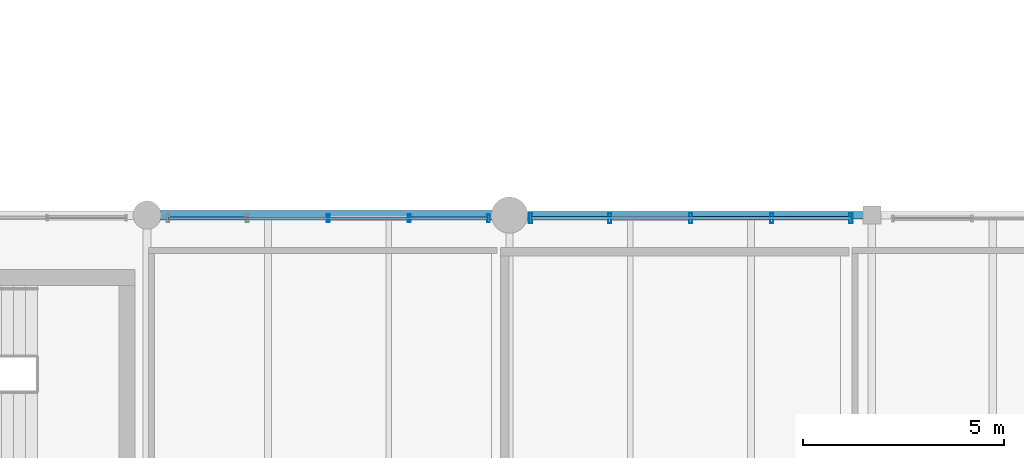
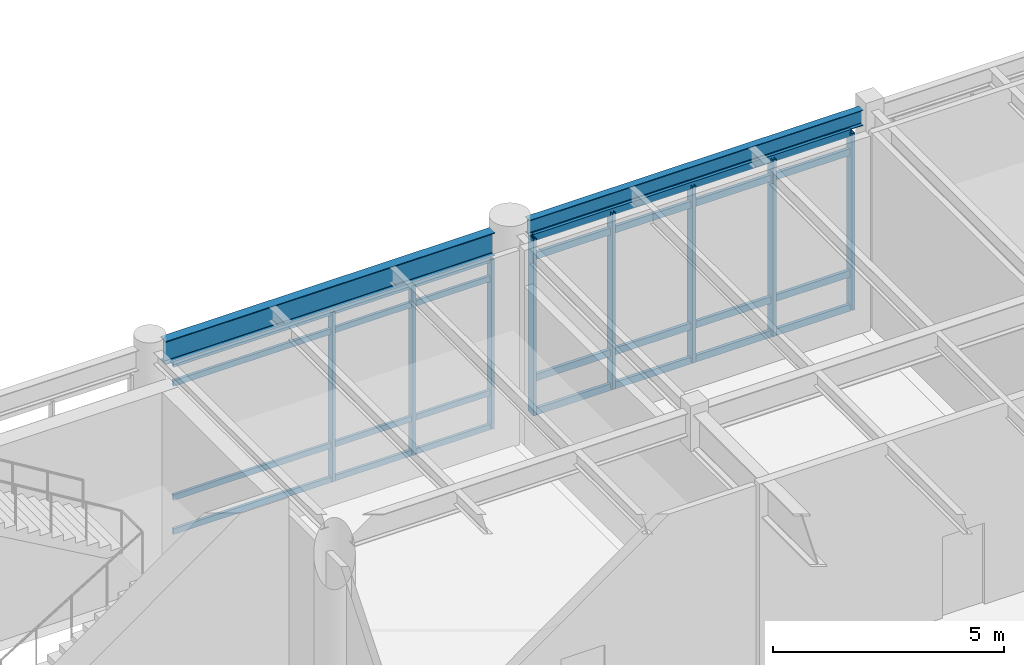
# One storey, part 142 of 203: 16 members, 2 beams, 2 elements without a shape of their own.
"""IFC4 building model written with IfcOpenShell, lengths in metres."""

from ifc_helpers import new_model, si_unit, direction, frame, origin, origin_2d, place, context, subcontext, project, spatial, hollow_rectangle, i_section, extrude, material, material_profile, profile_set, type_object, element, aggregate, save


model = new_model("IFC4")

# Units and contexts
model_context = context("Model", 3, precision=1e-05, world=origin(), true_north=direction((0.0, 1.0)))
body_context = subcontext(model_context, "Body", "Model", "MODEL_VIEW")
ifc_project = project(units=[si_unit("LENGTHUNIT", "METRE"), si_unit("AREAUNIT", "SQUARE_METRE"), si_unit("VOLUMEUNIT", "CUBIC_METRE"), si_unit("PLANEANGLEUNIT", "RADIAN"), si_unit("MASSUNIT", "GRAM", prefix="KILO"), si_unit("THERMODYNAMICTEMPERATUREUNIT", "KELVIN"), si_unit("POWERUNIT", "WATT")], contexts=[model_context])

# Site, building, storey
site_placement = place(None, origin())
site = spatial("IfcSite", under=ifc_project, at=site_placement, CompositionType="ELEMENT")
building_placement = place(site_placement, origin())
building = spatial("IfcBuilding", under=site, at=building_placement, Name="Tepalcoro Natatorium and Aquatics Centre", CompositionType="ELEMENT")
storey_placement = place(building_placement, origin())
storey = spatial("IfcBuildingStorey", under=building, at=storey_placement, Name="L00", CompositionType="ELEMENT", Elevation=0.0)

# Curtain wall, members
ifc_material_1 = material(Name="Bronze-Anodised Extruded Aluminium Alloy EN AW-6063 T6", Category="aluminium")
curtain_wall_type_1 = type_object("IfcCurtainWallType", Name="CW_V3_FOYER", PredefinedType="USERDEFINED", material=ifc_material_1)
curtain_wall_1_placement = place(storey_placement, origin())
curtain_wall_1 = element("IfcCurtainWall", 1, at=curtain_wall_1_placement, inside=storey, type_object=curtain_wall_type_1, Name="V4 L00 N Unitised Curtain Wall Bay 7", ObjectType="UNITISED STOREFRONT", PredefinedType="USERDEFINED")
ifc_material_profile_1 = material_profile(ifc_material_1, hollow_rectangle(XDim=0.070068359375, YDim=0.199951171875, WallThickness=0.0048828125, at=origin_2d()), Name="AL70X200X5")
ifc_profile_set_1 = profile_set([ifc_material_profile_1], Name="Bronze-Anodised Extruded Aluminium Alloy EN AW-6063 T6")
member_type_1 = type_object("IfcMemberType", Name="CW_MUL_70x200", PredefinedType="MULLION", material=ifc_profile_set_1)
member_1_placement = place(storey_placement, frame((66.5, 117.919921875, 0.02001953125), z_axis=(0.0, 0.0, 1.0), x_axis=(1.0, 0.0, 0.0)))
member_1 = element("IfcMember", 2, at=member_1_placement, type_object=member_type_1, Name="CW_V3_FOYER Curtain Wall Mullion", PredefinedType="MULLION", context=body_context, shape_type="SweptSolid", body=[
    extrude(hollow_rectangle(XDim=0.070068359375, YDim=0.199951171875, WallThickness=0.0048828125, at=origin_2d()), origin(), (0.0, 0.0, 1.0), 4.47802734375),
])
member_2_placement = place(storey_placement, frame((68.510009765625, 117.919921875, 0.02001953125), z_axis=(0.0, 0.0, 1.0), x_axis=(1.0, 0.0, 0.0)))
member_2 = element("IfcMember", 3, at=member_2_placement, type_object=member_type_1, Name="CW_V3_FOYER Curtain Wall Mullion", PredefinedType="MULLION", context=body_context, shape_type="SweptSolid", body=[
    extrude(hollow_rectangle(XDim=0.070068359375, YDim=0.199951171875, WallThickness=0.0048828125, at=origin_2d()), origin(), (0.0, 0.0, 1.0), 4.47802734375),
])
member_3_placement = place(storey_placement, frame((70.47998046875, 117.919921875, 0.02001953125), z_axis=(0.0, 0.0, 1.0), x_axis=(1.0, 0.0, 0.0)))
member_3 = element("IfcMember", 4, at=member_3_placement, type_object=member_type_1, Name="CW_V3_FOYER Curtain Wall Mullion", PredefinedType="MULLION", context=body_context, shape_type="SweptSolid", body=[
    extrude(hollow_rectangle(XDim=0.070068359375, YDim=0.199951171875, WallThickness=0.0048828125, at=origin_2d()), origin(), (0.0, 0.0, 1.0), 4.47802734375),
])

curtain_wall_type_2 = type_object("IfcCurtainWallType", Name="CW_V4_VILLAGE", PredefinedType="USERDEFINED", material=ifc_material_1)
curtain_wall_2_placement = place(storey_placement, origin())
curtain_wall_2 = element("IfcCurtainWall", 5, at=curtain_wall_2_placement, inside=storey, type_object=curtain_wall_type_2, Name="V4 L00 N Unitised Curtain Wall Bay 8", ObjectType="UNITISED STOREFRONT", PredefinedType="USERDEFINED")
ifc_material_profile_2 = material_profile(ifc_material_1, hollow_rectangle(XDim=0.080078125, YDim=0.239990234375, WallThickness=0.0048828125, at=origin_2d()), Name="AL80X240X5")
ifc_profile_set_2 = profile_set([ifc_material_profile_2], Name="Bronze-Anodised Extruded Aluminium Alloy EN AW-6063 T6")
member_type_2 = type_object("IfcMemberType", Name="CW_MUL_80x240", PredefinedType="MULLION", material=ifc_profile_set_2)
member_4_placement = place(storey_placement, frame((71.52001953125, 117.923828125, 0.02001953125), z_axis=(0.0, 0.0, 1.0), x_axis=(1.0, 0.0, 0.0)))
member_4 = element("IfcMember", 6, at=member_4_placement, type_object=member_type_2, Name="CW_V4_VILLAGE Curtain Wall Mullion", PredefinedType="MULLION", context=body_context, shape_type="SweptSolid", body=[
    extrude(hollow_rectangle(XDim=0.080078125, YDim=0.239990234375, WallThickness=0.0048828125, at=origin_2d()), origin(), (0.0, 0.0, 1.0), 4.677001953125),
])
member_5_placement = place(storey_placement, frame((73.489990234375, 117.923828125, 0.02001953125), z_axis=(0.0, 0.0, 1.0), x_axis=(1.0, 0.0, 0.0)))
member_5 = element("IfcMember", 7, at=member_5_placement, type_object=member_type_2, Name="CW_V4_VILLAGE Curtain Wall Mullion", PredefinedType="MULLION", context=body_context, shape_type="SweptSolid", body=[
    extrude(hollow_rectangle(XDim=0.080078125, YDim=0.239990234375, WallThickness=0.0048828125, at=origin_2d()), origin(), (0.0, 0.0, 1.0), 4.677001953125),
])
member_6_placement = place(storey_placement, frame((75.5, 117.923828125, 0.02001953125), z_axis=(0.0, 0.0, 1.0), x_axis=(1.0, 0.0, 0.0)))
member_6 = element("IfcMember", 8, at=member_6_placement, type_object=member_type_2, Name="CW_V4_VILLAGE Curtain Wall Mullion", PredefinedType="MULLION", context=body_context, shape_type="SweptSolid", body=[
    extrude(hollow_rectangle(XDim=0.080078125, YDim=0.239990234375, WallThickness=0.0048828125, at=origin_2d()), origin(), (0.0, 0.0, 1.0), 4.677001953125),
])
member_7_placement = place(storey_placement, frame((77.510009765625, 117.923828125, 0.02001953125), z_axis=(0.0, 0.0, 1.0), x_axis=(1.0, 0.0, 0.0)))
member_7 = element("IfcMember", 9, at=member_7_placement, type_object=member_type_2, Name="CW_V4_VILLAGE Curtain Wall Mullion", PredefinedType="MULLION", context=body_context, shape_type="SweptSolid", body=[
    extrude(hollow_rectangle(XDim=0.080078125, YDim=0.239990234375, WallThickness=0.0048828125, at=origin_2d()), origin(), (0.0, 0.0, 1.0), 4.677001953125),
])
member_8_placement = place(storey_placement, frame((79.47998046875, 117.923828125, 0.02001953125), z_axis=(0.0, 0.0, 1.0), x_axis=(1.0, 0.0, 0.0)))
member_8 = element("IfcMember", 10, at=member_8_placement, type_object=member_type_2, Name="CW_V4_VILLAGE Curtain Wall Mullion", PredefinedType="MULLION", context=body_context, shape_type="SweptSolid", body=[
    extrude(hollow_rectangle(XDim=0.080078125, YDim=0.239990234375, WallThickness=0.0048828125, at=origin_2d()), origin(), (0.0, 0.0, 1.0), 4.677001953125),
])

# Member
ifc_material_profile_3 = material_profile(ifc_material_1, hollow_rectangle(XDim=0.070068359375, YDim=0.14990234375, WallThickness=0.00390625, at=origin_2d()), Name="AL70X150X4")
ifc_profile_set_3 = profile_set([ifc_material_profile_3], Name="Bronze-Anodised Extruded Aluminium Alloy EN AW-6063 T6")
member_type_3 = type_object("IfcMemberType", Name="CW_TRN_70x150", PredefinedType="USERDEFINED", material=ifc_profile_set_3)
member_9_placement = place(storey_placement, frame((62.530029296875, 117.919921875, 0.050048828125), z_axis=(1.0, 0.0, 0.0), x_axis=(0.0, 1.0, 0.0)))
member_9 = element("IfcMember", 11, at=member_9_placement, type_object=member_type_3, Name="CW_V3_FOYER Curtain Wall Transom", ObjectType="TRANSOM", PredefinedType="USERDEFINED", context=body_context, shape_type="SweptSolid", body=[
    extrude(hollow_rectangle(XDim=0.070068359375, YDim=0.14990234375, WallThickness=0.00390625, at=origin_2d()), origin(), (0.0, 0.0, 1.0), 7.93994140625),
])

member_10_placement = place(storey_placement, frame((62.530029296875, 117.919921875, 0.949951171875), z_axis=(1.0, 0.0, 0.0), x_axis=(0.0, 1.0, 0.0)))
member_10 = element("IfcMember", 12, at=member_10_placement, type_object=member_type_3, Name="CW_V3_FOYER Curtain Wall Transom", ObjectType="TRANSOM", PredefinedType="USERDEFINED", context=body_context, shape_type="SweptSolid", body=[
    extrude(hollow_rectangle(XDim=0.070068359375, YDim=0.14990234375, WallThickness=0.00390625, at=origin_2d()), origin(), (0.0, 0.0, 1.0), 7.93994140625),
])

member_11_placement = place(storey_placement, frame((62.530029296875, 117.919921875, 3.968017578125), z_axis=(1.0, 0.0, 0.0), x_axis=(0.0, 1.0, 0.0)))
member_11 = element("IfcMember", 13, at=member_11_placement, type_object=member_type_3, Name="CW_V3_FOYER Curtain Wall Transom", ObjectType="TRANSOM", PredefinedType="USERDEFINED", context=body_context, shape_type="SweptSolid", body=[
    extrude(hollow_rectangle(XDim=0.070068359375, YDim=0.14990234375, WallThickness=0.00390625, at=origin_2d()), origin(), (0.0, 0.0, 1.0), 7.93994140625),
])

member_12_placement = place(storey_placement, frame((62.530029296875, 117.919921875, 4.468017578125), z_axis=(1.0, 0.0, 0.0), x_axis=(0.0, 1.0, 0.0)))
member_12 = element("IfcMember", 14, at=member_12_placement, type_object=member_type_3, Name="CW_V3_FOYER Curtain Wall Transom", ObjectType="TRANSOM", PredefinedType="USERDEFINED", context=body_context, shape_type="SweptSolid", body=[
    extrude(hollow_rectangle(XDim=0.070068359375, YDim=0.14990234375, WallThickness=0.00390625, at=origin_2d()), origin(), (0.0, 0.0, 1.0), 7.93994140625),
])

aggregate(curtain_wall_1, [member_1, member_2, member_3, member_9, member_10, member_11, member_12])

ifc_material_profile_4 = material_profile(ifc_material_1, hollow_rectangle(XDim=0.080078125, YDim=0.179931640625, WallThickness=0.0048828125, at=origin_2d()), Name="AL80X180X5")
ifc_profile_set_4 = profile_set([ifc_material_profile_4], Name="Bronze-Anodised Extruded Aluminium Alloy EN AW-6063 T6")
member_type_4 = type_object("IfcMemberType", Name="CW_TRN_80x180", PredefinedType="USERDEFINED", material=ifc_profile_set_4)
member_13_placement = place(storey_placement, frame((71.530029296875, 117.923828125, 0.050048828125), z_axis=(1.0, 0.0, 0.0), x_axis=(0.0, 1.0, 0.0)))
member_13 = element("IfcMember", 15, at=member_13_placement, type_object=member_type_4, Name="CW_V4_VILLAGE Curtain Wall Transom", ObjectType="TRANSOM", PredefinedType="USERDEFINED", context=body_context, shape_type="SweptSolid", body=[
    extrude(hollow_rectangle(XDim=0.080078125, YDim=0.179931640625, WallThickness=0.0048828125, at=origin_2d()), origin(), (0.0, 0.0, 1.0), 7.93994140625),
])

member_14_placement = place(storey_placement, frame((71.530029296875, 117.923828125, 0.949951171875), z_axis=(1.0, 0.0, 0.0), x_axis=(0.0, 1.0, 0.0)))
member_14 = element("IfcMember", 16, at=member_14_placement, type_object=member_type_4, Name="CW_V4_VILLAGE Curtain Wall Transom", ObjectType="TRANSOM", PredefinedType="USERDEFINED", context=body_context, shape_type="SweptSolid", body=[
    extrude(hollow_rectangle(XDim=0.080078125, YDim=0.179931640625, WallThickness=0.0048828125, at=origin_2d()), origin(), (0.0, 0.0, 1.0), 7.93994140625),
])

member_15_placement = place(storey_placement, frame((71.530029296875, 117.923828125, 4.1669921875), z_axis=(1.0, 0.0, 0.0), x_axis=(0.0, 1.0, 0.0)))
member_15 = element("IfcMember", 17, at=member_15_placement, type_object=member_type_4, Name="CW_V4_VILLAGE Curtain Wall Transom", ObjectType="TRANSOM", PredefinedType="USERDEFINED", context=body_context, shape_type="SweptSolid", body=[
    extrude(hollow_rectangle(XDim=0.080078125, YDim=0.179931640625, WallThickness=0.0048828125, at=origin_2d()), origin(), (0.0, 0.0, 1.0), 7.93994140625),
])

member_16_placement = place(storey_placement, frame((71.530029296875, 117.923828125, 4.6669921875), z_axis=(1.0, 0.0, 0.0), x_axis=(0.0, 1.0, 0.0)))
member_16 = element("IfcMember", 18, at=member_16_placement, type_object=member_type_4, Name="CW_V4_VILLAGE Curtain Wall Transom", ObjectType="TRANSOM", PredefinedType="USERDEFINED", context=body_context, shape_type="SweptSolid", body=[
    extrude(hollow_rectangle(XDim=0.080078125, YDim=0.179931640625, WallThickness=0.0048828125, at=origin_2d()), origin(), (0.0, 0.0, 1.0), 7.93994140625),
])

aggregate(curtain_wall_2, [member_4, member_5, member_6, member_7, member_8, member_13, member_14, member_15, member_16])

# Beams
ifc_material_2 = material(Name="Steel ASTM A992 Grade 50 (Fy 345 MPa)", Category="steel")
ifc_material_profile_5 = material_profile(ifc_material_2, i_section(OverallWidth=0.179931640625, OverallDepth=0.4130859375, WebThickness=0.010009765625, FlangeThickness=0.01611328125, FilletRadius=0.013916015625, at=origin_2d()), Name="W16X50")
ifc_profile_set_5 = profile_set([ifc_material_profile_5], Name="Steel ASTM A992 Grade 50 (Fy 345 MPa)")
beam_type_1 = type_object("IfcBeamType", Name="SP_HSS300x200x12", PredefinedType="SPANDREL", material=ifc_profile_set_5)
beam_1_placement = place(storey_placement, frame((71.43505859375, 118.0, 4.9384765625), z_axis=(1.0, 0.0, 0.0), x_axis=(0.0, 1.0, 0.0)))
element("IfcBeam", 19, at=beam_1_placement, inside=storey, type_object=beam_type_1, Name="V4 L00 Grid Girder X", PredefinedType="SPANDREL", context=body_context, shape_type="SweptSolid", body=[
    extrude(i_section(OverallWidth=0.179931640625, OverallDepth=0.4130859375, WebThickness=0.010009765625, FlangeThickness=0.01611328125, FilletRadius=0.013916015625, at=origin_2d()), origin(), (0.0, 0.0, 1.0), 8.35498046875),
])
ifc_material_profile_6 = material_profile(ifc_material_2, i_section(OverallWidth=0.22900390625, OverallDepth=0.612060546875, WebThickness=0.011962890625, FlangeThickness=0.02001953125, FilletRadius=0.013916015625, at=origin_2d()), Name="W24X84")
ifc_profile_set_6 = profile_set([ifc_material_profile_6], Name="Steel ASTM A992 Grade 50 (Fy 345 MPa)")
beam_type_2 = type_object("IfcBeamType", Name="SP_W24x84", PredefinedType="SPANDREL", material=ifc_profile_set_6)
beam_2_placement = place(storey_placement, frame((62.3349609375, 118.0, 4.839111328125), z_axis=(1.0, 0.0, 0.0), x_axis=(0.0, 1.0, 0.0)))
element("IfcBeam", 20, at=beam_2_placement, inside=storey, type_object=beam_type_2, Name="V4 L00 Grid Girder X", PredefinedType="SPANDREL", context=body_context, shape_type="SweptSolid", body=[
    extrude(i_section(OverallWidth=0.22900390625, OverallDepth=0.612060546875, WebThickness=0.011962890625, FlangeThickness=0.02001953125, FilletRadius=0.013916015625, at=origin_2d()), origin(), (0.0, 0.0, 1.0), 8.22998046875),
])

save(model, "model.ifc")
